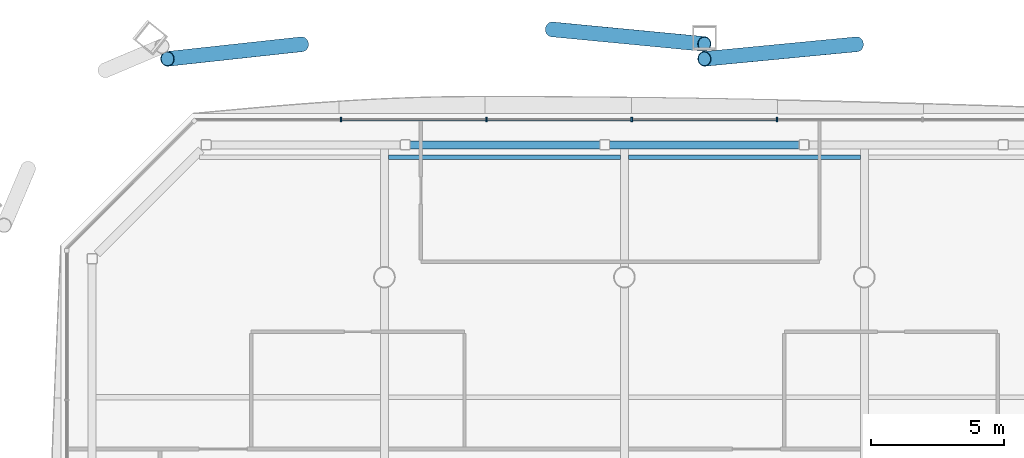
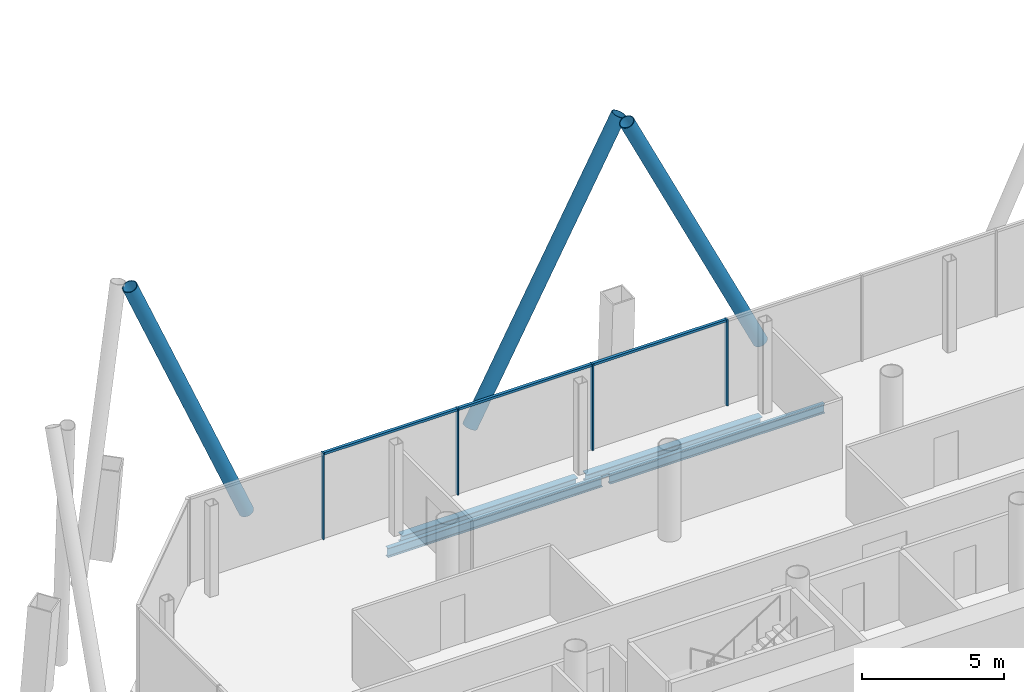
# One storey, part 11 of 22: 10 members, 4 beams, 1 element without a shape of its own.
"""IFC4 building model written with IfcOpenShell, lengths in metres."""

import ifcopenshell
import ifcopenshell.guid

model = None  # the IFC model being written
_history = None  # IfcOwnerHistory: only IFC2X3 demands one
_inside = {}  # id of a spatial element -> (the spatial element, [elements in it])
_under = {}  # id of a project, library or spatial element -> (it, [spatial elements below it])
_declared = {}  # id of a project -> (the project, [libraries it declares])
_typed = {}  # id of a type object -> (the type object, [elements of that type])
_made_of = {}  # id of a material, layer set ... -> (it, [elements and type objects made of it])


def new_model(schema):
    """Start an empty IFC model of exactly this schema.

    Asked for "IFC4X3", IfcOpenShell would pick the latest addendum, in which some entities
    have other attributes; the version numbers below select the first issue.
    IFC2X3 requires an IfcOwnerHistory on every rooted entity: one is made here for all.
    """
    global model, _history
    if schema == "IFC4X3":
        model = ifcopenshell.file(schema_version=(4, 3, 0, 0))
    else:
        model = ifcopenshell.file(schema=schema)
    _inside.clear()
    _under.clear()
    _declared.clear()
    _typed.clear()
    _made_of.clear()
    _history = None
    if model.schema == "IFC2X3":
        org = make("IfcOrganization", Name="unknown")
        user = make(
            "IfcPersonAndOrganization",
            ThePerson=make("IfcPerson", FamilyName="unknown"),
            TheOrganization=org,
        )
        app = make(
            "IfcApplication",
            ApplicationDeveloper=org,
            Version="unknown",
            ApplicationFullName="unknown",
            ApplicationIdentifier="unknown",
        )
        _history = make(
            "IfcOwnerHistory",
            OwningUser=user,
            OwningApplication=app,
            ChangeAction="ADDED",
            CreationDate=0,
        )
    return model


def make(cls, **values):
    """One entity of the class cls with the attributes given. An attribute that is None is left unset."""
    return model.create_entity(
        cls, **{name: value for name, value in values.items() if value is not None}
    )


def rooted(cls, **values):
    """An entity with a GlobalId (a new one), such as an element, a storey or a relation."""
    return make(cls, GlobalId=ifcopenshell.guid.new(), OwnerHistory=_history, **values)


def si_unit(unit_type, name, prefix=None):
    """IfcSIUnit, for example si_unit("LENGTHUNIT", "METRE", prefix="MILLI")."""
    return make("IfcSIUnit", UnitType=unit_type, Prefix=prefix, Name=name)


def assignment(units):
    """IfcUnitAssignment: the units of a project."""
    return None if units is None else make("IfcUnitAssignment", Units=units)


def point(xyz):
    """IfcCartesianPoint."""
    return None if xyz is None else make("IfcCartesianPoint", Coordinates=xyz)


def direction(xyz):
    """IfcDirection."""
    return None if xyz is None else make("IfcDirection", DirectionRatios=xyz)


def frame(location, z_axis=None, x_axis=None):
    """IfcAxis2Placement3D, a coordinate frame: its origin and axes. An axis left out is left unset."""
    return make(
        "IfcAxis2Placement3D",
        Location=point(location),
        Axis=direction(z_axis),
        RefDirection=direction(x_axis),
    )


def frame_2d(location, x_axis=None):
    """IfcAxis2Placement2D, a coordinate frame in the plane: its origin and x axis."""
    return make(
        "IfcAxis2Placement2D", Location=point(location), RefDirection=direction(x_axis)
    )


def origin():
    """The frame at (0, 0, 0) with its axes left unset."""
    return frame((0.0, 0.0, 0.0))


def origin_2d():
    """The frame at (0, 0) in the plane with its x axis left unset."""
    return frame_2d((0.0, 0.0))


def place(relative_to, where):
    """IfcLocalPlacement: puts the frame where relative to a parent placement (None: the world)."""
    return make(
        "IfcLocalPlacement", PlacementRelTo=relative_to, RelativePlacement=where
    )


def context(
    kind, dimensions, precision=None, world=None, true_north=None, identifier=None
):
    """IfcGeometricRepresentationContext, for example the 3D "Model" context."""
    return make(
        "IfcGeometricRepresentationContext",
        ContextIdentifier=identifier,
        ContextType=kind,
        CoordinateSpaceDimension=dimensions,
        Precision=precision,
        WorldCoordinateSystem=world,
        TrueNorth=true_north,
    )


def subcontext(parent, identifier, kind, view, scale=None):
    """IfcGeometricRepresentationSubContext, for example "Body" below "Model"."""
    return make(
        "IfcGeometricRepresentationSubContext",
        ContextIdentifier=identifier,
        ContextType=kind,
        ParentContext=parent,
        TargetScale=scale,
        TargetView=view,
    )


def project(units=None, contexts=None):
    """IfcProject with its units and contexts."""
    return rooted(
        "IfcProject",
        Name="project",
        RepresentationContexts=contexts,
        UnitsInContext=assignment(units),
    )


def spatial(cls, under=None, at=None, **own):
    """A site, building, storey or space (cls), placed at a placement, below another one or the project."""
    s = rooted(cls, ObjectPlacement=at, **own)
    if under is not None:
        _under.setdefault(under.id(), (under, []))[1].append(s)
    return s


def profile(cls, at=None, kind="AREA", **sizes):
    """A parametric profile (cls). Its sizes go by their IFC names, for example OverallWidth=200.0."""
    return make(cls, ProfileType=kind, Position=at, **sizes)


def rectangle(**sizes):
    """IfcRectangleProfileDef."""
    return profile("IfcRectangleProfileDef", **sizes)


def hollow_circle(**sizes):
    """IfcCircleHollowProfileDef."""
    return profile("IfcCircleHollowProfileDef", **sizes)


def i_section(**sizes):
    """IfcIShapeProfileDef."""
    return profile("IfcIShapeProfileDef", **sizes)


def extrude(swept, where, along, depth):
    """IfcExtrudedAreaSolid: the profile swept, set in the frame where, extruded along a direction by depth."""
    return make(
        "IfcExtrudedAreaSolid",
        SweptArea=swept,
        Position=where,
        ExtrudedDirection=direction(along),
        Depth=depth,
    )


def shape(context_of_items, identifier, shape_type, items):
    """IfcShapeRepresentation: the items that make up one representation, for example the "Body"."""
    return make(
        "IfcShapeRepresentation",
        ContextOfItems=context_of_items,
        RepresentationIdentifier=identifier,
        RepresentationType=shape_type,
        Items=items,
    )


def material(Name=None, Category=None):
    """IfcMaterial."""
    return make("IfcMaterial", Name=Name, Category=Category)


def material_profile(
    of_material, cross_section, Name=None, Category=None, Priority=None
):
    """IfcMaterialProfile: a cross section and its material."""
    return make(
        "IfcMaterialProfile",
        Name=Name,
        Material=of_material,
        Profile=cross_section,
        Priority=Priority,
        Category=Category,
    )


def profile_set(profiles, Name=None, composite=None):
    """IfcMaterialProfileSet."""
    return make(
        "IfcMaterialProfileSet",
        Name=Name,
        MaterialProfiles=profiles,
        CompositeProfile=composite,
    )


def made_of(thing, what):
    """Note that an element or type object is made of a material, layer set ...; save() writes the relation."""
    if what is not None:
        _made_of.setdefault(what.id(), (what, []))[1].append(thing)
    return thing


def type_object(cls, material=None, **own):
    """A type object (cls), such as IfcWallType, which elements share."""
    return made_of(rooted(cls, **own), material)


def element(
    cls,
    number,
    at=None,
    inside=None,
    cuts=None,
    type_object=None,
    material=None,
    context=None,
    identifier="Body",
    shape_type=None,
    held_by="IfcProductDefinitionShape",
    body=None,
    shapes=None,
    **own,
):
    """One element of the class cls, such as IfcWall. Its Tag is "e" and its number.

    at: its placement. inside: the storey or other place that contains it. cuts: it is an
    opening in that element (IfcRelVoidsElement). A single representation is given by context,
    identifier, shape_type and body (its items); several are given by shapes. held_by: the class
    of the entity that holds the representations. save() writes the other relations.
    """
    e = rooted(cls, Tag="e%d" % number, ObjectPlacement=at, **own)
    if body is not None:
        shapes = [shape(context, identifier, shape_type, body)]
    if shapes is not None:
        e.Representation = make(held_by, Representations=shapes)
    if inside is not None:
        _inside.setdefault(inside.id(), (inside, []))[1].append(e)
    if cuts is not None:
        rooted(
            "IfcRelVoidsElement", RelatingBuildingElement=cuts, RelatedOpeningElement=e
        )
    if type_object is not None:
        _typed.setdefault(type_object.id(), (type_object, []))[1].append(e)
    return made_of(e, material)


def aggregate(whole, parts):
    """IfcRelAggregates: a whole, such as a stair, and the parts it consists of."""
    return rooted("IfcRelAggregates", RelatingObject=whole, RelatedObjects=parts)


def save(model, path):
    """Write the relations noted so far, then the file.

    IfcRelAggregates (storeys below a building ...), IfcRelContainedInSpatialStructure (elements
    in a storey), IfcRelDefinesByType, IfcRelAssociatesMaterial and IfcRelDeclares: one each for
    every whole, place, type object, material and project.
    """
    for whole, parts in _under.values():
        aggregate(whole, parts)
    for where, things in _inside.values():
        rooted(
            "IfcRelContainedInSpatialStructure",
            RelatedElements=things,
            RelatingStructure=where,
        )
    for kind, things in _typed.values():
        rooted("IfcRelDefinesByType", RelatedObjects=things, RelatingType=kind)
    for what, things in _made_of.values():
        rooted("IfcRelAssociatesMaterial", RelatedObjects=things, RelatingMaterial=what)
    for by, libraries in _declared.values():
        rooted("IfcRelDeclares", RelatingContext=by, RelatedDefinitions=libraries)
    model.write(path)


model = new_model("IFC4")

# Units and contexts
model_context = context("Model", 3, precision=1e-05, world=origin(), true_north=direction((0.0, 1.0)))
body_context = subcontext(model_context, "Body", "Model", "MODEL_VIEW")
ifc_project = project(units=[si_unit("LENGTHUNIT", "METRE"), si_unit("AREAUNIT", "SQUARE_METRE"), si_unit("VOLUMEUNIT", "CUBIC_METRE"), si_unit("PLANEANGLEUNIT", "RADIAN"), si_unit("MASSUNIT", "GRAM", prefix="KILO")], contexts=[model_context])

# Site, building, storey
site_placement = place(None, origin())
site = spatial("IfcSite", under=ifc_project, at=site_placement, CompositionType="ELEMENT")
building_placement = place(site_placement, origin())
building = spatial("IfcBuilding", under=site, at=building_placement, Name="Tskaro Facet Tower", CompositionType="ELEMENT")
storey_placement = place(building_placement, frame((0.0, 0.0, 97.199951171875)))
storey = spatial("IfcBuildingStorey", under=building, at=storey_placement, Name="L23", CompositionType="ELEMENT", Elevation=97.199951171875)

# Members
ifc_material_1 = material(Name="Steel S355J2H", Category="steel")
ifc_material_profile_1 = material_profile(ifc_material_1, hollow_circle(Radius=0.279541015625, WallThickness=0.02490234375, at=origin_2d()), Name="CHS 559x25")
ifc_profile_set_1 = profile_set([ifc_material_profile_1], Name="Steel S355J2H")
member_type_1 = type_object("IfcMemberType", Name="CHS 559x25 brace", PredefinedType="BRACE", material=ifc_profile_set_1)
member_1_placement = place(storey_placement, frame((8.71484375, 26.735595703125, 0.0), z_axis=(-0.43850367789, -0.042055739784, 0.897744863103), x_axis=(0.095469312995, -0.995432373532, 0.0)))
element("IfcMember", 1, at=member_1_placement, inside=storey, type_object=member_type_1, Name="CHS 559x25 XB07A/2", PredefinedType="BRACE", context=body_context, shape_type="SweptSolid", body=[
    extrude(hollow_circle(Radius=0.279541015625, WallThickness=0.02490234375, at=origin_2d()), origin(), (0.0, 0.0, 1.0), 13.03271484375),
])
member_2_placement = place(storey_placement, frame((-12.105712890625, 26.735595703125, 0.0), z_axis=(-0.394955202159, -0.042990275338, 0.917693971057), x_axis=(0.108209340681, -0.994128129865, 0.0)))
element("IfcMember", 2, at=member_2_placement, inside=storey, type_object=member_type_1, Name="CHS 559x25 XB08A/2", PredefinedType="BRACE", context=body_context, shape_type="SweptSolid", body=[
    extrude(hollow_circle(Radius=0.279541015625, WallThickness=0.02490234375, at=origin_2d()), origin(), (0.0, 0.0, 1.0), 12.749267578125),
])
member_3_placement = place(storey_placement, frame((-2.71484375, 27.29443359375, 0.0), z_axis=(0.438504023281, -0.042037039826, 0.89774557022), x_axis=(0.095427175024, 0.995436413975, 0.0)))
element("IfcMember", 3, at=member_3_placement, inside=storey, type_object=member_type_1, Name="CHS 559x25 XB08B/2", PredefinedType="BRACE", context=body_context, shape_type="SweptSolid", body=[
    extrude(hollow_circle(Radius=0.279541015625, WallThickness=0.02490234375, at=origin_2d()), origin(), (0.0, 0.0, 1.0), 13.032470703125),
])

# Curtain wall, members
ifc_material_2 = material(Name="Bronze anodised aluminium 6063-T6", Category="aluminium")
curtain_wall_type = type_object("IfcCurtainWallType", Name="Bronze office curtain wall (FW1)", PredefinedType="NOTDEFINED", material=ifc_material_2)
curtain_wall_placement = place(storey_placement, origin())
curtain_wall = element("IfcCurtainWall", 4, at=curtain_wall_placement, inside=storey, type_object=curtain_wall_type, Name="FW1 north facet L23", PredefinedType="NOTDEFINED")
ifc_material_profile_2 = material_profile(ifc_material_2, rectangle(XDim=0.06005859375, YDim=0.159912109375, at=origin_2d()), Name="Mullion 60x160")
ifc_profile_set_2 = profile_set([ifc_material_profile_2], Name="Bronze anodised aluminium 6063-T6")
member_type_2 = type_object("IfcMemberType", Name="FW1 bronze mullion 60x160", PredefinedType="MULLION", material=ifc_profile_set_2)
member_4_placement = place(storey_placement, frame((5.72607421875, 23.9150390625, 0.0), z_axis=(0.0, 0.0, 1.0), x_axis=(-1.0, 0.0, 0.0)))
member_4 = element("IfcMember", 5, at=member_4_placement, type_object=member_type_2, Name="FW1 north mullion 3", PredefinedType="MULLION", context=body_context, shape_type="SweptSolid", body=[
    extrude(rectangle(XDim=0.06005859375, YDim=0.159912109375, at=origin_2d()), origin(), (0.0, 0.0, 1.0), 3.699951171875),
])
member_5_placement = place(storey_placement, frame((0.27392578125, 23.9150390625, 0.0), z_axis=(0.0, 0.0, 1.0), x_axis=(-1.0, 0.0, 0.0)))
member_5 = element("IfcMember", 6, at=member_5_placement, type_object=member_type_2, Name="FW1 north mullion 4", PredefinedType="MULLION", context=body_context, shape_type="SweptSolid", body=[
    extrude(rectangle(XDim=0.06005859375, YDim=0.159912109375, at=origin_2d()), origin(), (0.0, 0.0, 1.0), 3.699951171875),
])
member_6_placement = place(storey_placement, frame((-5.178466796875, 23.9150390625, 0.0), z_axis=(0.0, 0.0, 1.0), x_axis=(-1.0, 0.0, 0.0)))
member_6 = element("IfcMember", 7, at=member_6_placement, type_object=member_type_2, Name="FW1 north mullion 5", PredefinedType="MULLION", context=body_context, shape_type="SweptSolid", body=[
    extrude(rectangle(XDim=0.06005859375, YDim=0.159912109375, at=origin_2d()), origin(), (0.0, 0.0, 1.0), 3.699951171875),
])
member_7_placement = place(storey_placement, frame((-10.630615234375, 23.9150390625, 0.0), z_axis=(0.0, 0.0, 1.0), x_axis=(-1.0, 0.0, 0.0)))
member_7 = element("IfcMember", 8, at=member_7_placement, type_object=member_type_2, Name="FW1 north mullion 6", PredefinedType="MULLION", context=body_context, shape_type="SweptSolid", body=[
    extrude(rectangle(XDim=0.06005859375, YDim=0.159912109375, at=origin_2d()), origin(), (0.0, 0.0, 1.0), 3.699951171875),
])
ifc_material_profile_3 = material_profile(ifc_material_2, rectangle(XDim=0.1201171875, YDim=0.10009765625, at=origin_2d()), Name="Transom 120x100")
ifc_profile_set_3 = profile_set([ifc_material_profile_3], Name="Bronze anodised aluminium 6063-T6")
member_type_3 = type_object("IfcMemberType", Name="FW1 bronze transom 120x100", PredefinedType="USERDEFINED", material=ifc_profile_set_3)
member_8_placement = place(storey_placement, frame((5.696044921875, 23.9150390625, 3.650146484375), z_axis=(-1.0, 0.0, 0.0), x_axis=(0.0, -1.0, 0.0)))
member_8 = element("IfcMember", 9, at=member_8_placement, type_object=member_type_3, Name="FW1 north transom 4.1", ObjectType="TRANSOM", PredefinedType="USERDEFINED", context=body_context, shape_type="SweptSolid", body=[
    extrude(rectangle(XDim=0.1201171875, YDim=0.10009765625, at=origin_2d()), origin(), (0.0, 0.0, 1.0), 5.39208984375),
])
member_9_placement = place(storey_placement, frame((0.243896484375, 23.9150390625, 3.650146484375), z_axis=(-1.0, 0.0, 0.0), x_axis=(0.0, -1.0, 0.0)))
member_9 = element("IfcMember", 10, at=member_9_placement, type_object=member_type_3, Name="FW1 north transom 5.1", ObjectType="TRANSOM", PredefinedType="USERDEFINED", context=body_context, shape_type="SweptSolid", body=[
    extrude(rectangle(XDim=0.1201171875, YDim=0.10009765625, at=origin_2d()), origin(), (0.0, 0.0, 1.0), 5.392333984375),
])
member_10_placement = place(storey_placement, frame((-5.20849609375, 23.9150390625, 3.650146484375), z_axis=(-1.0, 0.0, 0.0), x_axis=(0.0, -1.0, 0.0)))
member_10 = element("IfcMember", 11, at=member_10_placement, type_object=member_type_3, Name="FW1 north transom 6.1", ObjectType="TRANSOM", PredefinedType="USERDEFINED", context=body_context, shape_type="SweptSolid", body=[
    extrude(rectangle(XDim=0.1201171875, YDim=0.10009765625, at=origin_2d()), origin(), (0.0, 0.0, 1.0), 5.392333984375),
])
aggregate(curtain_wall, [member_4, member_5, member_6, member_7, member_8, member_9, member_10])

# Beams
ifc_material_3 = material(Name="Steel S355J2", Category="steel")
ifc_material_profile_4 = material_profile(ifc_material_3, i_section(OverallWidth=0.300048828125, OverallDepth=0.360107421875, WebThickness=0.012451171875, FlangeThickness=0.0224609375, FilletRadius=0.027099609375, at=origin_2d()), Name="HE 360 B")
ifc_profile_set_4 = profile_set([ifc_material_profile_4], Name="Steel S355J2")
beam_type_1 = type_object("IfcBeamType", Name="HE 360 B ring beam", PredefinedType="BEAM", material=ifc_profile_set_4)
beam_1_placement = place(storey_placement, frame((6.55810546875, 22.965087890625, -0.320068359375), z_axis=(-1.0, 0.0, 0.0), x_axis=(0.0, -1.0, 0.0)))
element("IfcBeam", 12, at=beam_1_placement, inside=storey, type_object=beam_type_1, Name="HE 360 B EB15-2", PredefinedType="BEAM", context=body_context, shape_type="SweptSolid", body=[
    extrude(i_section(OverallWidth=0.300048828125, OverallDepth=0.360107421875, WebThickness=0.012451171875, FlangeThickness=0.0224609375, FilletRadius=0.027099609375, at=origin_2d()), origin(), (0.0, 0.0, 1.0), 7.1162109375),
])
beam_2_placement = place(storey_placement, frame((-0.91796875, 22.965087890625, -0.320068359375), z_axis=(-1.0, 0.0, 0.0), x_axis=(0.0, -1.0, 0.0)))
element("IfcBeam", 13, at=beam_2_placement, inside=storey, type_object=beam_type_1, Name="HE 360 B EB16-2", PredefinedType="BEAM", context=body_context, shape_type="SweptSolid", body=[
    extrude(i_section(OverallWidth=0.300048828125, OverallDepth=0.360107421875, WebThickness=0.012451171875, FlangeThickness=0.0224609375, FilletRadius=0.027099609375, at=origin_2d()), origin(), (0.0, 0.0, 1.0), 7.115966796875),
])
ifc_material_profile_5 = material_profile(ifc_material_3, i_section(OverallWidth=0.179931640625, OverallDepth=0.39990234375, WebThickness=0.008544921875, FlangeThickness=0.013427734375, FilletRadius=0.02099609375, at=origin_2d()), Name="IPE 400")
ifc_profile_set_5 = profile_set([ifc_material_profile_5], Name="Steel S355J2")
beam_type_2 = type_object("IfcBeamType", Name="IPE 400 secondary beam", PredefinedType="BEAM", material=ifc_profile_set_5)
for number, where, z_axis, x_axis, name in (
    (14, (-8.85009765625, 22.5, -0.33984375), (1.0, 0.0, 0.0), (0.0, 1.0, 0.0), "IPE 400 SB6a-2-2"),
    (15, (0.14990234375, 22.5, -0.33984375), (1.0, 0.0, 0.0), (0.0, 1.0, 0.0), "IPE 400 SB6a-3-2"),
):
    element("IfcBeam", number, at=place(storey_placement, frame(where, z_axis=z_axis, x_axis=x_axis)), inside=storey, type_object=beam_type_2, Name=name, PredefinedType="BEAM", context=body_context, shape_type="SweptSolid", body=[
        extrude(i_section(OverallWidth=0.179931640625, OverallDepth=0.39990234375, WebThickness=0.008544921875, FlangeThickness=0.013427734375, FilletRadius=0.02099609375, at=origin_2d()), origin(), (0.0, 0.0, 1.0), 8.7001953125),
    ])

save(model, "model.ifc")
